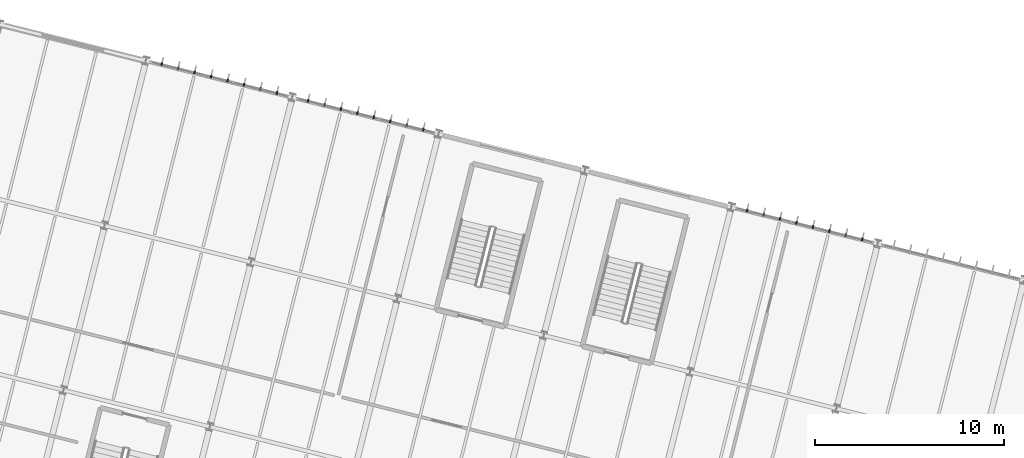
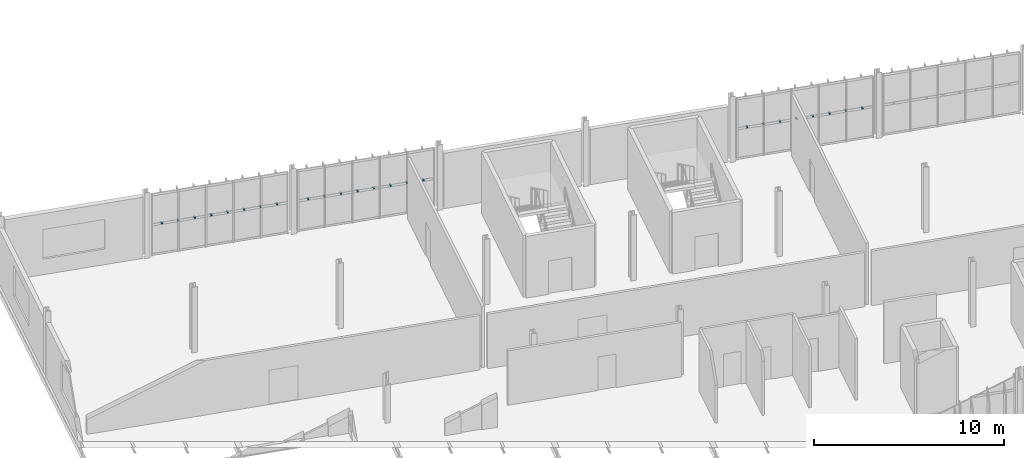
# One storey, part 53 of 61: 24 discrete accessories.
"""IFC4 building model written with IfcOpenShell, lengths in metres."""

import ifcopenshell
import ifcopenshell.guid

model = None  # the IFC model being written
_history = None  # IfcOwnerHistory: only IFC2X3 demands one
_inside = {}  # id of a spatial element -> (the spatial element, [elements in it])
_under = {}  # id of a project, library or spatial element -> (it, [spatial elements below it])
_declared = {}  # id of a project -> (the project, [libraries it declares])
_typed = {}  # id of a type object -> (the type object, [elements of that type])
_made_of = {}  # id of a material, layer set ... -> (it, [elements and type objects made of it])


def new_model(schema):
    """Start an empty IFC model of exactly this schema.

    Asked for "IFC4X3", IfcOpenShell would pick the latest addendum, in which some entities
    have other attributes; the version numbers below select the first issue.
    IFC2X3 requires an IfcOwnerHistory on every rooted entity: one is made here for all.
    """
    global model, _history
    if schema == "IFC4X3":
        model = ifcopenshell.file(schema_version=(4, 3, 0, 0))
    else:
        model = ifcopenshell.file(schema=schema)
    _inside.clear()
    _under.clear()
    _declared.clear()
    _typed.clear()
    _made_of.clear()
    _history = None
    if model.schema == "IFC2X3":
        org = make("IfcOrganization", Name="unknown")
        user = make(
            "IfcPersonAndOrganization",
            ThePerson=make("IfcPerson", FamilyName="unknown"),
            TheOrganization=org,
        )
        app = make(
            "IfcApplication",
            ApplicationDeveloper=org,
            Version="unknown",
            ApplicationFullName="unknown",
            ApplicationIdentifier="unknown",
        )
        _history = make(
            "IfcOwnerHistory",
            OwningUser=user,
            OwningApplication=app,
            ChangeAction="ADDED",
            CreationDate=0,
        )
    return model


def make(cls, **values):
    """One entity of the class cls with the attributes given. An attribute that is None is left unset."""
    return model.create_entity(
        cls, **{name: value for name, value in values.items() if value is not None}
    )


def rooted(cls, **values):
    """An entity with a GlobalId (a new one), such as an element, a storey or a relation."""
    return make(cls, GlobalId=ifcopenshell.guid.new(), OwnerHistory=_history, **values)


def si_unit(unit_type, name, prefix=None):
    """IfcSIUnit, for example si_unit("LENGTHUNIT", "METRE", prefix="MILLI")."""
    return make("IfcSIUnit", UnitType=unit_type, Prefix=prefix, Name=name)


def derived_unit(unit_type, elements):
    """IfcDerivedUnit: a product of units, each with its exponent."""
    return make(
        "IfcDerivedUnit",
        Elements=[
            make("IfcDerivedUnitElement", Unit=unit, Exponent=power)
            for unit, power in elements
        ],
        UnitType=unit_type,
    )


def assignment(units):
    """IfcUnitAssignment: the units of a project."""
    return None if units is None else make("IfcUnitAssignment", Units=units)


def point(xyz):
    """IfcCartesianPoint."""
    return None if xyz is None else make("IfcCartesianPoint", Coordinates=xyz)


def direction(xyz):
    """IfcDirection."""
    return None if xyz is None else make("IfcDirection", DirectionRatios=xyz)


def frame(location, z_axis=None, x_axis=None):
    """IfcAxis2Placement3D, a coordinate frame: its origin and axes. An axis left out is left unset."""
    return make(
        "IfcAxis2Placement3D",
        Location=point(location),
        Axis=direction(z_axis),
        RefDirection=direction(x_axis),
    )


def frame_2d(location, x_axis=None):
    """IfcAxis2Placement2D, a coordinate frame in the plane: its origin and x axis."""
    return make(
        "IfcAxis2Placement2D", Location=point(location), RefDirection=direction(x_axis)
    )


def origin():
    """The frame at (0, 0, 0) with its axes left unset."""
    return frame((0.0, 0.0, 0.0))


def origin_2d():
    """The frame at (0, 0) in the plane with its x axis left unset."""
    return frame_2d((0.0, 0.0))


def place(relative_to, where):
    """IfcLocalPlacement: puts the frame where relative to a parent placement (None: the world)."""
    return make(
        "IfcLocalPlacement", PlacementRelTo=relative_to, RelativePlacement=where
    )


def context(
    kind, dimensions, precision=None, world=None, true_north=None, identifier=None
):
    """IfcGeometricRepresentationContext, for example the 3D "Model" context."""
    return make(
        "IfcGeometricRepresentationContext",
        ContextIdentifier=identifier,
        ContextType=kind,
        CoordinateSpaceDimension=dimensions,
        Precision=precision,
        WorldCoordinateSystem=world,
        TrueNorth=true_north,
    )


def subcontext(parent, identifier, kind, view, scale=None):
    """IfcGeometricRepresentationSubContext, for example "Body" below "Model"."""
    return make(
        "IfcGeometricRepresentationSubContext",
        ContextIdentifier=identifier,
        ContextType=kind,
        ParentContext=parent,
        TargetScale=scale,
        TargetView=view,
    )


def project(units=None, contexts=None):
    """IfcProject with its units and contexts."""
    return rooted(
        "IfcProject",
        Name="project",
        RepresentationContexts=contexts,
        UnitsInContext=assignment(units),
    )


def spatial(cls, under=None, at=None, **own):
    """A site, building, storey or space (cls), placed at a placement, below another one or the project."""
    s = rooted(cls, ObjectPlacement=at, **own)
    if under is not None:
        _under.setdefault(under.id(), (under, []))[1].append(s)
    return s


def profile(cls, at=None, kind="AREA", **sizes):
    """A parametric profile (cls). Its sizes go by their IFC names, for example OverallWidth=200.0."""
    return make(cls, ProfileType=kind, Position=at, **sizes)


def rectangle(**sizes):
    """IfcRectangleProfileDef."""
    return profile("IfcRectangleProfileDef", **sizes)


def extrude(swept, where, along, depth):
    """IfcExtrudedAreaSolid: the profile swept, set in the frame where, extruded along a direction by depth."""
    return make(
        "IfcExtrudedAreaSolid",
        SweptArea=swept,
        Position=where,
        ExtrudedDirection=direction(along),
        Depth=depth,
    )


def shape(context_of_items, identifier, shape_type, items):
    """IfcShapeRepresentation: the items that make up one representation, for example the "Body"."""
    return make(
        "IfcShapeRepresentation",
        ContextOfItems=context_of_items,
        RepresentationIdentifier=identifier,
        RepresentationType=shape_type,
        Items=items,
    )


def material(Name=None, Category=None):
    """IfcMaterial."""
    return make("IfcMaterial", Name=Name, Category=Category)


def made_of(thing, what):
    """Note that an element or type object is made of a material, layer set ...; save() writes the relation."""
    if what is not None:
        _made_of.setdefault(what.id(), (what, []))[1].append(thing)
    return thing


def type_object(cls, material=None, **own):
    """A type object (cls), such as IfcWallType, which elements share."""
    return made_of(rooted(cls, **own), material)


def element(
    cls,
    number,
    at=None,
    inside=None,
    cuts=None,
    type_object=None,
    material=None,
    context=None,
    identifier="Body",
    shape_type=None,
    held_by="IfcProductDefinitionShape",
    body=None,
    shapes=None,
    **own,
):
    """One element of the class cls, such as IfcWall. Its Tag is "e" and its number.

    at: its placement. inside: the storey or other place that contains it. cuts: it is an
    opening in that element (IfcRelVoidsElement). A single representation is given by context,
    identifier, shape_type and body (its items); several are given by shapes. held_by: the class
    of the entity that holds the representations. save() writes the other relations.
    """
    e = rooted(cls, Tag="e%d" % number, ObjectPlacement=at, **own)
    if body is not None:
        shapes = [shape(context, identifier, shape_type, body)]
    if shapes is not None:
        e.Representation = make(held_by, Representations=shapes)
    if inside is not None:
        _inside.setdefault(inside.id(), (inside, []))[1].append(e)
    if cuts is not None:
        rooted(
            "IfcRelVoidsElement", RelatingBuildingElement=cuts, RelatedOpeningElement=e
        )
    if type_object is not None:
        _typed.setdefault(type_object.id(), (type_object, []))[1].append(e)
    return made_of(e, material)


def aggregate(whole, parts):
    """IfcRelAggregates: a whole, such as a stair, and the parts it consists of."""
    return rooted("IfcRelAggregates", RelatingObject=whole, RelatedObjects=parts)


def save(model, path):
    """Write the relations noted so far, then the file.

    IfcRelAggregates (storeys below a building ...), IfcRelContainedInSpatialStructure (elements
    in a storey), IfcRelDefinesByType, IfcRelAssociatesMaterial and IfcRelDeclares: one each for
    every whole, place, type object, material and project.
    """
    for whole, parts in _under.values():
        aggregate(whole, parts)
    for where, things in _inside.values():
        rooted(
            "IfcRelContainedInSpatialStructure",
            RelatedElements=things,
            RelatingStructure=where,
        )
    for kind, things in _typed.values():
        rooted("IfcRelDefinesByType", RelatedObjects=things, RelatingType=kind)
    for what, things in _made_of.values():
        rooted("IfcRelAssociatesMaterial", RelatedObjects=things, RelatingMaterial=what)
    for by, libraries in _declared.values():
        rooted("IfcRelDeclares", RelatingContext=by, RelatedDefinitions=libraries)
    model.write(path)


model = new_model("IFC4")

# Units and contexts
model_context = context("Model", 3, precision=1e-05, world=origin(), true_north=direction((0.0, 1.0)))
body_context = subcontext(model_context, "Body", "Model", "MODEL_VIEW")
ifc_project = project(units=[si_unit("LENGTHUNIT", "METRE"), si_unit("AREAUNIT", "SQUARE_METRE"), si_unit("VOLUMEUNIT", "CUBIC_METRE"), si_unit("PLANEANGLEUNIT", "RADIAN"), si_unit("MASSUNIT", "GRAM", prefix="KILO"), si_unit("THERMODYNAMICTEMPERATUREUNIT", "KELVIN"), si_unit("TIMEUNIT", "SECOND"), derived_unit("THERMALTRANSMITTANCEUNIT", [(si_unit("MASSUNIT", "GRAM", prefix="KILO"), 1), (si_unit("THERMODYNAMICTEMPERATUREUNIT", "KELVIN"), -1), (si_unit("TIMEUNIT", "SECOND"), -3)])], contexts=[model_context])

# Site, building, storey
site_placement = place(None, origin())
site = spatial("IfcSite", under=ifc_project, at=site_placement, CompositionType="ELEMENT")
building_placement = place(site_placement, origin())
building = spatial("IfcBuilding", under=site, at=building_placement, Name="Cambertide Market Hall", CompositionType="ELEMENT")
storey_placement = place(building_placement, frame((0.0, 0.0, 9.89990234375)))
storey = spatial("IfcBuildingStorey", under=building, at=storey_placement, Name="L03", CompositionType="ELEMENT", Elevation=9.89990234375)

# Discrete accessories
ifc_material = material(Name="Stainless Steel Grade 316", Category="metal")
discrete_accessory_type = type_object("IfcDiscreteAccessoryType", Name="Stainless Fin Outrigger Tie Bracket", PredefinedType="BRACKET", material=ifc_material)
for number, where, z_axis, x_axis, name in (
    (1, (123.14404296875, 124.086181640625, 1.920166015625), (0.0, 0.0, 1.0), (0.970142500145, -0.242535625038, 0.0), "CW-V4N-L03-2 Fin Tie Bracket 1"),
    (2, (124.01708984375, 123.867919921875, 1.920166015625), (0.0, 0.0, 1.0), (0.970142500145, -0.242535625038, 0.0), "CW-V4N-L03-2 Fin Tie Bracket 2"),
    (3, (124.89013671875, 123.649658203125, 1.920166015625), (0.0, 0.0, 1.0), (0.970142500145, -0.242535625038, 0.0), "CW-V4N-L03-2 Fin Tie Bracket 3"),
    (4, (125.763427734375, 123.431396484375, 1.920166015625), (0.0, 0.0, 1.0), (0.970142500145, -0.242535625038, 0.0), "CW-V4N-L03-2 Fin Tie Bracket 4"),
    (5, (126.636474609375, 123.213134765625, 1.920166015625), (0.0, 0.0, 1.0), (0.970142500145, -0.242535625038, 0.0), "CW-V4N-L03-2 Fin Tie Bracket 5"),
    (6, (127.509521484375, 122.994873046875, 1.920166015625), (0.0, 0.0, 1.0), (0.970142500145, -0.242535625038, 0.0), "CW-V4N-L03-2 Fin Tie Bracket 6"),
    (7, (128.3828125, 122.776611328125, 1.920166015625), (0.0, 0.0, 1.0), (0.970142500145, -0.242535625038, 0.0), "CW-V4N-L03-2 Fin Tie Bracket 7"),
    (8, (129.255859375, 122.558349609375, 1.920166015625), (0.0, 0.0, 1.0), (0.970142500145, -0.242535625038, 0.0), "CW-V4N-L03-2 Fin Tie Bracket 8"),
    (9, (130.905029296875, 122.14599609375, 1.920166015625), (0.0, 0.0, 1.0), (0.970142500145, -0.242535625038, 0.0), "CW-V4N-L03-3 Fin Tie Bracket 1"),
    (10, (131.778076171875, 121.927734375, 1.920166015625), (0.0, 0.0, 1.0), (0.970142500145, -0.242535625038, 0.0), "CW-V4N-L03-3 Fin Tie Bracket 2"),
    (11, (132.6513671875, 121.70947265625, 1.920166015625), (0.0, 0.0, 1.0), (0.970142500145, -0.242535625038, 0.0), "CW-V4N-L03-3 Fin Tie Bracket 3"),
    (12, (133.5244140625, 121.490966796875, 1.920166015625), (0.0, 0.0, 1.0), (0.970142500145, -0.242535625038, 0.0), "CW-V4N-L03-3 Fin Tie Bracket 4"),
    (13, (134.3974609375, 121.272705078125, 1.920166015625), (0.0, 0.0, 1.0), (0.970142500145, -0.242535625038, 0.0), "CW-V4N-L03-3 Fin Tie Bracket 5"),
    (14, (135.270751953125, 121.054443359375, 1.920166015625), (0.0, 0.0, 1.0), (0.970142500145, -0.242535625038, 0.0), "CW-V4N-L03-3 Fin Tie Bracket 6"),
    (15, (136.143798828125, 120.836181640625, 1.920166015625), (0.0, 0.0, 1.0), (0.970142500145, -0.242535625038, 0.0), "CW-V4N-L03-3 Fin Tie Bracket 7"),
    (16, (137.016845703125, 120.617919921875, 1.920166015625), (0.0, 0.0, 1.0), (0.970142500145, -0.242535625038, 0.0), "CW-V4N-L03-3 Fin Tie Bracket 8"),
    (17, (154.1884765625, 116.324951171875, 1.920166015625), (0.0, 0.0, 1.0), (0.970142500145, -0.242535625038, 0.0), "CW-V4N-L03-6 Fin Tie Bracket 1"),
    (18, (155.0615234375, 116.106689453125, 1.920166015625), (0.0, 0.0, 1.0), (0.970142500145, -0.242535625038, 0.0), "CW-V4N-L03-6 Fin Tie Bracket 2"),
    (19, (155.934814453125, 115.888427734375, 1.920166015625), (0.0, 0.0, 1.0), (0.970142500145, -0.242535625038, 0.0), "CW-V4N-L03-6 Fin Tie Bracket 3"),
    (20, (156.807861328125, 115.670166015625, 1.920166015625), (0.0, 0.0, 1.0), (0.970142500145, -0.242535625038, 0.0), "CW-V4N-L03-6 Fin Tie Bracket 4"),
    (21, (157.680908203125, 115.451904296875, 1.920166015625), (0.0, 0.0, 1.0), (0.970142500145, -0.242535625038, 0.0), "CW-V4N-L03-6 Fin Tie Bracket 5"),
    (22, (158.55419921875, 115.233642578125, 1.920166015625), (0.0, 0.0, 1.0), (0.970142500145, -0.242535625038, 0.0), "CW-V4N-L03-6 Fin Tie Bracket 6"),
    (23, (159.42724609375, 115.015380859375, 1.920166015625), (0.0, 0.0, 1.0), (0.970142500145, -0.242535625038, 0.0), "CW-V4N-L03-6 Fin Tie Bracket 7"),
    (24, (160.30029296875, 114.797119140625, 1.920166015625), (0.0, 0.0, 1.0), (0.970142500145, -0.242535625038, 0.0), "CW-V4N-L03-6 Fin Tie Bracket 8"),
):
    element("IfcDiscreteAccessory", number, at=place(storey_placement, frame(where, z_axis=z_axis, x_axis=x_axis)), inside=storey, type_object=discrete_accessory_type, Name=name, PredefinedType="BRACKET", context=body_context, shape_type="SweptSolid", body=[
        extrude(rectangle(XDim=0.080078125, YDim=0.159912109375, at=origin_2d()), origin(), (0.0, 0.0, 1.0), 0.080078125),
    ])

save(model, "model.ifc")
